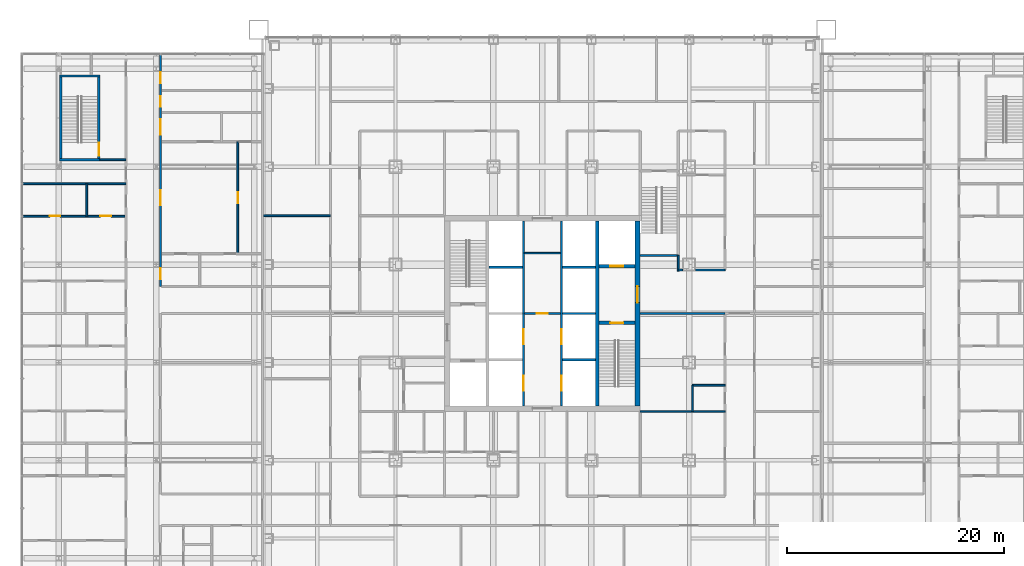
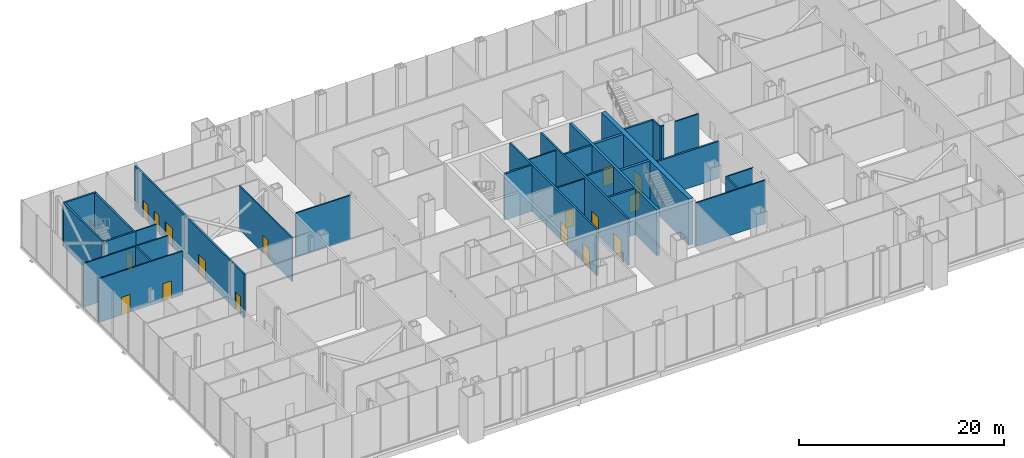
# One storey, part 15 of 25: 31 walls, 17 doors, 17 openings.
"""IFC4 building model written with IfcOpenShell, lengths in metres."""

from ifc_helpers import new_model, si_unit, direction, frame, frame_2d, origin, place, context, subcontext, project, spatial, rectangle, extrude, material, layer, layer_set, type_object, element, fill, save


model = new_model("IFC4")

# Units and contexts
model_context = context("Model", 3, precision=1e-05, world=origin(), true_north=direction((0.0, 1.0)))
body_context = subcontext(model_context, "Body", "Model", "MODEL_VIEW")
ifc_project = project(units=[si_unit("LENGTHUNIT", "METRE"), si_unit("AREAUNIT", "SQUARE_METRE"), si_unit("VOLUMEUNIT", "CUBIC_METRE"), si_unit("PLANEANGLEUNIT", "RADIAN"), si_unit("MASSUNIT", "GRAM", prefix="KILO")], contexts=[model_context])

# Site, building, storey
site_placement = place(None, origin())
site = spatial("IfcSite", under=ifc_project, at=site_placement, CompositionType="ELEMENT")
building_placement = place(site_placement, origin())
building = spatial("IfcBuilding", under=site, at=building_placement, Name="Malebo Sky Hospital", CompositionType="ELEMENT")
storey_placement = place(building_placement, frame((0.0, 0.0, 11.0)))
storey = spatial("IfcBuildingStorey", under=building, at=storey_placement, Name="L02", CompositionType="ELEMENT", Elevation=11.0)

# Wall, openings, doors
ifc_material_1 = material(Name="Concrete C80/95", Category="concrete")
ifc_layer_1 = layer(ifc_material_1, 0.199951171875)
ifc_layer_set_1 = layer_set([ifc_layer_1], Name="CORE INNER WALL 200")
wall_type_1 = type_object("IfcWallType", Name="CORE INNER WALL 200", PredefinedType="SHEAR", material=ifc_layer_set_1)
wall_1_placement = place(storey_placement, frame((58.25, 53.5, 0.0), z_axis=(0.0, 0.0, 1.0), x_axis=(0.0, 1.0, 0.0)))
wall_1 = element("IfcWall", 1, at=wall_1_placement, inside=storey, type_object=wall_type_1, Name="Core wall LW L02", PredefinedType="SHEAR", context=body_context, shape_type="SweptSolid", body=[
    extrude(rectangle(XDim=17.0, YDim=0.199951171875, at=frame_2d((8.5, 0.0))), origin(), (0.0, 0.0, 1.0), 5.5),
])
opening_1_placement = place(wall_1_placement, frame((1.375, 0.0, 0.0)))
opening_1 = element("IfcOpeningElement", 2, at=opening_1_placement, cuts=wall_1, Name="Opening LD1", PredefinedType="OPENING", context=body_context, shape_type="SweptSolid", body=[
    extrude(rectangle(XDim=1.39990234375, YDim=2.199951171875, at=frame_2d((0.699951171875, 1.10009765625))), frame((0.0, 0.10986328125, 0.0), z_axis=(0.0, -1.0, 0.0), x_axis=(1.0, 0.0, 0.0)), (0.0, 0.0, 1.0), 0.219970703125),
])
opening_2_placement = place(wall_1_placement, frame((5.675048828125, 0.0, 0.0)))
opening_2 = element("IfcOpeningElement", 3, at=opening_2_placement, cuts=wall_1, Name="Opening LD1", PredefinedType="OPENING", context=body_context, shape_type="SweptSolid", body=[
    extrude(rectangle(XDim=1.39990234375, YDim=2.199951171875, at=frame_2d((0.699951171875, 1.10009765625))), frame((0.0, 0.10986328125, 0.0), z_axis=(0.0, -1.0, 0.0), x_axis=(1.0, 0.0, 0.0)), (0.0, 0.0, 1.0), 0.219970703125),
])
ifc_material_2 = material(Name="Stainless steel sliding landing door", Category="steel")
door_type_1 = type_object("IfcDoorType", Name="LIFT LANDING DOOR 1400", OperationType="SLIDING_TO_LEFT", PredefinedType="DOOR", material=ifc_material_2)
door_1_placement = place(opening_1_placement, origin())
door_1 = element("IfcDoor", 4, at=door_1_placement, inside=storey, type_object=door_type_1, Name="Lift W1 landing door", OperationType="SLIDING_TO_LEFT", OverallHeight=2.199951171875, OverallWidth=1.39990234375, PredefinedType="DOOR", context=body_context, shape_type="SweptSolid", body=[
    extrude(rectangle(XDim=1.39990234375, YDim=2.199951171875, at=frame_2d((0.699951171875, 1.10009765625))), frame((0.0, 0.02490234375, 0.0), z_axis=(0.0, -1.0, 0.0), x_axis=(1.0, 0.0, 0.0)), (0.0, 0.0, 1.0), 0.050048828125),
])
fill(opening_1, door_1)
door_2_placement = place(opening_2_placement, origin())
door_2 = element("IfcDoor", 5, at=door_2_placement, inside=storey, type_object=door_type_1, Name="Lift W2 landing door", OperationType="SLIDING_TO_LEFT", OverallHeight=2.199951171875, OverallWidth=1.39990234375, PredefinedType="DOOR", context=body_context, shape_type="SweptSolid", body=[
    extrude(rectangle(XDim=1.39990234375, YDim=2.199951171875, at=frame_2d((0.699951171875, 1.10009765625))), frame((0.0, 0.02490234375, 0.0), z_axis=(0.0, -1.0, 0.0), x_axis=(1.0, 0.0, 0.0)), (0.0, 0.0, 1.0), 0.050048828125),
])
fill(opening_2, door_2)

wall_2_placement = place(storey_placement, frame((61.75, 53.5, 0.0), z_axis=(0.0, 0.0, 1.0), x_axis=(0.0, 1.0, 0.0)))
wall_2 = element("IfcWall", 6, at=wall_2_placement, inside=storey, type_object=wall_type_1, Name="Core wall LE L02", PredefinedType="SHEAR", context=body_context, shape_type="SweptSolid", body=[
    extrude(rectangle(XDim=17.0, YDim=0.199951171875, at=frame_2d((8.5, 0.0))), origin(), (0.0, 0.0, 1.0), 5.5),
])
opening_3_placement = place(wall_2_placement, frame((1.375, 0.0, 0.0)))
opening_3 = element("IfcOpeningElement", 7, at=opening_3_placement, cuts=wall_2, Name="Opening LD1", PredefinedType="OPENING", context=body_context, shape_type="SweptSolid", body=[
    extrude(rectangle(XDim=1.39990234375, YDim=2.199951171875, at=frame_2d((0.699951171875, 1.10009765625))), frame((0.0, 0.10986328125, 0.0), z_axis=(0.0, -1.0, 0.0), x_axis=(1.0, 0.0, 0.0)), (0.0, 0.0, 1.0), 0.219970703125),
])
opening_4_placement = place(wall_2_placement, frame((5.675048828125, 0.0, 0.0)))
opening_4 = element("IfcOpeningElement", 8, at=opening_4_placement, cuts=wall_2, Name="Opening LD1", PredefinedType="OPENING", context=body_context, shape_type="SweptSolid", body=[
    extrude(rectangle(XDim=1.39990234375, YDim=2.199951171875, at=frame_2d((0.699951171875, 1.10009765625))), frame((0.0, 0.10986328125, 0.0), z_axis=(0.0, -1.0, 0.0), x_axis=(1.0, 0.0, 0.0)), (0.0, 0.0, 1.0), 0.219970703125),
])
door_3_placement = place(opening_3_placement, origin())
door_3 = element("IfcDoor", 9, at=door_3_placement, inside=storey, type_object=door_type_1, Name="Lift E1 landing door", OperationType="SLIDING_TO_LEFT", OverallHeight=2.199951171875, OverallWidth=1.39990234375, PredefinedType="DOOR", context=body_context, shape_type="SweptSolid", body=[
    extrude(rectangle(XDim=1.39990234375, YDim=2.199951171875, at=frame_2d((0.699951171875, 1.10009765625))), frame((0.0, 0.02490234375, 0.0), z_axis=(0.0, -1.0, 0.0), x_axis=(1.0, 0.0, 0.0)), (0.0, 0.0, 1.0), 0.050048828125),
])
fill(opening_3, door_3)
door_4_placement = place(opening_4_placement, origin())
door_4 = element("IfcDoor", 10, at=door_4_placement, inside=storey, type_object=door_type_1, Name="Lift E2 landing door", OperationType="SLIDING_TO_LEFT", OverallHeight=2.199951171875, OverallWidth=1.39990234375, PredefinedType="DOOR", context=body_context, shape_type="SweptSolid", body=[
    extrude(rectangle(XDim=1.39990234375, YDim=2.199951171875, at=frame_2d((0.699951171875, 1.10009765625))), frame((0.0, 0.02490234375, 0.0), z_axis=(0.0, -1.0, 0.0), x_axis=(1.0, 0.0, 0.0)), (0.0, 0.0, 1.0), 0.050048828125),
])
fill(opening_4, door_4)

# Walls
for number, where, z_axis, x_axis, name in (
    (11, (61.85009765625, 57.75, 0.0), (0.0, 0.0, 1.0), (1.0, 0.0, 0.0), "Core wall SE0 L02"),
    (12, (61.85009765625, 62.0, 0.0), (0.0, 0.0, 1.0), (1.0, 0.0, 0.0), "Core wall SE1 L02"),
    (13, (55.10009765625, 66.25, 0.0), (0.0, 0.0, 1.0), (1.0, 0.0, 0.0), "Core wall SW2 L02"),
    (14, (61.85009765625, 66.25, 0.0), (0.0, 0.0, 1.0), (1.0, 0.0, 0.0), "Core wall SE2 L02"),
):
    element("IfcWall", number, at=place(storey_placement, frame(where, z_axis=z_axis, x_axis=x_axis)), inside=storey, type_object=wall_type_1, Name=name, PredefinedType="SHEAR", context=body_context, shape_type="SweptSolid", body=[
        extrude(rectangle(XDim=3.0498046875, YDim=0.199951171875, at=frame_2d((1.52490234375, 0.0))), origin(), (0.0, 0.0, 1.0), 5.5),
    ])
ifc_layer_2 = layer(ifc_material_1, 0.300048828125)
ifc_layer_set_2 = layer_set([ifc_layer_2], Name="CORE INNER WALL 300")
wall_type_2 = type_object("IfcWallType", Name="CORE INNER WALL 300", PredefinedType="SHEAR", material=ifc_layer_set_2)
wall_3_placement = place(storey_placement, frame((65.050048828125, 53.5, 0.0), z_axis=(0.0, 0.0, 1.0), x_axis=(0.0, 1.0, 0.0)))
element("IfcWall", 15, at=wall_3_placement, inside=storey, type_object=wall_type_2, Name="Core wall XE L02", PredefinedType="SHEAR", context=body_context, shape_type="SweptSolid", body=[
    extrude(rectangle(XDim=17.0, YDim=0.300048828125, at=frame_2d((8.5, 0.0))), origin(), (0.0, 0.0, 1.0), 5.5),
])

# Wall, opening, door
wall_4_placement = place(storey_placement, frame((65.199951171875, 61.14990234375, 0.0), z_axis=(0.0, 0.0, 1.0), x_axis=(1.0, 0.0, 0.0)))
wall_4 = element("IfcWall", 16, at=wall_4_placement, inside=storey, type_object=wall_type_2, Name="Core wall E1 L02", PredefinedType="SHEAR", context=body_context, shape_type="SweptSolid", body=[
    extrude(rectangle(XDim=3.300048828125, YDim=0.300048828125, at=frame_2d((1.64990234375, 0.0))), origin(), (0.0, 0.0, 1.0), 5.5),
])
opening_5_placement = place(wall_4_placement, frame((1.050048828125, 0.0, 0.0)))
opening_5 = element("IfcOpeningElement", 17, at=opening_5_placement, cuts=wall_4, Name="Opening D08", PredefinedType="OPENING", context=body_context, shape_type="SweptSolid", body=[
    extrude(rectangle(XDim=1.199951171875, YDim=2.10009765625, at=frame_2d((0.60009765625, 1.050048828125))), frame((0.0, 0.159912109375, 0.0), z_axis=(0.0, -1.0, 0.0), x_axis=(1.0, 0.0, 0.0)), (0.0, 0.0, 1.0), 0.320068359375),
])
ifc_material_3 = material(Name="Hardwood-faced door leaf in steel frame", Category="steel")
door_type_2 = type_object("IfcDoorType", Name="STAIR DOOR 1200", OperationType="SINGLE_SWING_LEFT", PredefinedType="DOOR", material=ifc_material_3)
door_5_placement = place(opening_5_placement, origin())
door_5 = element("IfcDoor", 18, at=door_5_placement, inside=storey, type_object=door_type_2, Name="Stair S2 door", OperationType="SINGLE_SWING_LEFT", OverallHeight=2.10009765625, OverallWidth=1.199951171875, PredefinedType="DOOR", context=body_context, shape_type="SweptSolid", body=[
    extrude(rectangle(XDim=1.199951171875, YDim=2.10009765625, at=frame_2d((0.60009765625, 1.050048828125))), frame((0.0, 0.02490234375, 0.0), z_axis=(0.0, -1.0, 0.0), x_axis=(1.0, 0.0, 0.0)), (0.0, 0.0, 1.0), 0.050048828125),
])
fill(opening_5, door_5)

wall_5_placement = place(storey_placement, frame((65.199951171875, 66.35009765625, 0.0), z_axis=(0.0, 0.0, 1.0), x_axis=(1.0, 0.0, 0.0)))
wall_5 = element("IfcWall", 19, at=wall_5_placement, inside=storey, type_object=wall_type_2, Name="Core wall E2 L02", PredefinedType="SHEAR", context=body_context, shape_type="SweptSolid", body=[
    extrude(rectangle(XDim=3.300048828125, YDim=0.300048828125, at=frame_2d((1.64990234375, 0.0))), origin(), (0.0, 0.0, 1.0), 5.5),
])
opening_6_placement = place(wall_5_placement, frame((1.050048828125, 0.0, 0.0)))
opening_6 = element("IfcOpeningElement", 20, at=opening_6_placement, cuts=wall_5, Name="Opening LD2", PredefinedType="OPENING", context=body_context, shape_type="SweptSolid", body=[
    extrude(rectangle(XDim=1.199951171875, YDim=2.199951171875, at=frame_2d((0.60009765625, 1.10009765625))), frame((0.0, 0.159912109375, 0.0), z_axis=(0.0, -1.0, 0.0), x_axis=(1.0, 0.0, 0.0)), (0.0, 0.0, 1.0), 0.320068359375),
])
door_type_3 = type_object("IfcDoorType", Name="FIRE-FIGHTING LIFT LANDING DOOR 1200", OperationType="SLIDING_TO_LEFT", PredefinedType="DOOR", material=ifc_material_2)
door_6_placement = place(opening_6_placement, origin())
door_6 = element("IfcDoor", 21, at=door_6_placement, inside=storey, type_object=door_type_3, Name="Lift FL2 landing door", OperationType="SLIDING_TO_LEFT", OverallHeight=2.199951171875, OverallWidth=1.199951171875, PredefinedType="DOOR", context=body_context, shape_type="SweptSolid", body=[
    extrude(rectangle(XDim=1.199951171875, YDim=2.199951171875, at=frame_2d((0.60009765625, 1.10009765625))), frame((0.0, 0.02490234375, 0.0), z_axis=(0.0, -1.0, 0.0), x_axis=(1.0, 0.0, 0.0)), (0.0, 0.0, 1.0), 0.050048828125),
])
fill(opening_6, door_6)

ifc_layer_3 = layer(ifc_material_1, 0.5)
ifc_layer_set_3 = layer_set([ifc_layer_3], Name="CORE WALL 500")
wall_type_3 = type_object("IfcWallType", Name="CORE WALL 500", PredefinedType="SHEAR", material=ifc_layer_set_3)
wall_6_placement = place(storey_placement, frame((68.75, 53.5, 0.0), z_axis=(0.0, 0.0, 1.0), x_axis=(0.0, 1.0, 0.0)))
wall_6 = element("IfcWall", 22, at=wall_6_placement, inside=storey, type_object=wall_type_3, Name="Core wall E L02", PredefinedType="SHEAR", context=body_context, shape_type="SweptSolid", body=[
    extrude(rectangle(XDim=17.0, YDim=0.5, at=frame_2d((8.5, 0.0))), origin(), (0.0, 0.0, 1.0), 5.5),
])
opening_7_placement = place(wall_6_placement, frame((9.5, 0.0, 0.0)))
opening_7 = element("IfcOpeningElement", 23, at=opening_7_placement, cuts=wall_6, Name="Opening D07", PredefinedType="OPENING", context=body_context, shape_type="SweptSolid", body=[
    extrude(rectangle(XDim=1.5, YDim=2.199951171875, at=frame_2d((0.75, 1.10009765625))), frame((0.0, 0.260009765625, 0.0), z_axis=(0.0, -1.0, 0.0), x_axis=(1.0, 0.0, 0.0)), (0.0, 0.0, 1.0), 0.52001953125),
])
door_type_4 = type_object("IfcDoorType", Name="FIRE-FIGHTING LOBBY DOOR PAIR 1500", OperationType="DOUBLE_DOOR_SINGLE_SWING", PredefinedType="DOOR", material=ifc_material_3)
door_7_placement = place(opening_7_placement, origin())
door_7 = element("IfcDoor", 24, at=door_7_placement, inside=storey, type_object=door_type_4, Name="Fire-fighting lobby door east", OperationType="DOUBLE_DOOR_SINGLE_SWING", OverallHeight=2.199951171875, OverallWidth=1.5, PredefinedType="DOOR", context=body_context, shape_type="SweptSolid", body=[
    extrude(rectangle(XDim=1.5, YDim=2.199951171875, at=frame_2d((0.75, 1.10009765625))), frame((0.0, 0.02490234375, 0.0), z_axis=(0.0, -1.0, 0.0), x_axis=(1.0, 0.0, 0.0)), (0.0, 0.0, 1.0), 0.050048828125),
])
fill(opening_7, door_7)

# Wall, openings, doors
ifc_material_4 = material(Name="Gypsum board on steel studs", Category="steel")
ifc_layer_4 = layer(ifc_material_4, 0.199951171875)
ifc_layer_set_4 = layer_set([ifc_layer_4], Name="CORRIDOR WALL 200")
wall_type_4 = type_object("IfcWallType", Name="CORRIDOR WALL 200", PredefinedType="PARTITIONING", material=ifc_layer_set_4)
wall_7_placement = place(storey_placement, frame((24.882080078125, 64.5, 0.0), z_axis=(0.0, 0.0, 1.0), x_axis=(0.0, 1.0, 0.0)))
wall_7 = element("IfcWall", 25, at=wall_7_placement, inside=storey, type_object=wall_type_4, Name="Corridor Wall 200 WWC2C", PredefinedType="PARTITIONING", context=body_context, shape_type="SweptSolid", body=[
    extrude(rectangle(XDim=21.35009765625, YDim=0.199951171875, at=frame_2d((10.675048828125, 0.0))), origin(), (0.0, 0.0, 1.0), 5.199951171875),
])
opening_8_placement = place(wall_7_placement, frame((0.64990234375, 0.0, 0.0)))
opening_8 = element("IfcOpeningElement", 26, at=opening_8_placement, cuts=wall_7, Name="Opening D03", PredefinedType="OPENING", context=body_context, shape_type="SweptSolid", body=[
    extrude(rectangle(XDim=1.0, YDim=2.10009765625, at=frame_2d((0.5, 1.050048828125))), frame((0.0, 0.10986328125, 0.0), z_axis=(0.0, -1.0, 0.0), x_axis=(1.0, 0.0, 0.0)), (0.0, 0.0, 1.0), 0.219970703125),
])
opening_9_placement = place(wall_7_placement, frame((7.449951171875, 0.0, 0.0)))
opening_9 = element("IfcOpeningElement", 27, at=opening_9_placement, cuts=wall_7, Name="Opening D25", PredefinedType="OPENING", context=body_context, shape_type="SweptSolid", body=[
    extrude(rectangle(XDim=1.39990234375, YDim=2.199951171875, at=frame_2d((0.699951171875, 1.10009765625))), frame((0.0, 0.10986328125, 0.0), z_axis=(0.0, -1.0, 0.0), x_axis=(1.0, 0.0, 0.0)), (0.0, 0.0, 1.0), 0.219970703125),
])
opening_10_placement = place(wall_7_placement, frame((13.949951171875, 0.0, 0.0)))
opening_10 = element("IfcOpeningElement", 28, at=opening_10_placement, cuts=wall_7, Name="Opening D25", PredefinedType="OPENING", context=body_context, shape_type="SweptSolid", body=[
    extrude(rectangle(XDim=1.39990234375, YDim=2.199951171875, at=frame_2d((0.699951171875, 1.10009765625))), frame((0.0, 0.10986328125, 0.0), z_axis=(0.0, -1.0, 0.0), x_axis=(1.0, 0.0, 0.0)), (0.0, 0.0, 1.0), 0.219970703125),
])
opening_11_placement = place(wall_7_placement, frame((16.5, 0.0, 0.0)))
opening_11 = element("IfcOpeningElement", 29, at=opening_11_placement, cuts=wall_7, Name="Opening D03", PredefinedType="OPENING", context=body_context, shape_type="SweptSolid", body=[
    extrude(rectangle(XDim=1.0, YDim=2.10009765625, at=frame_2d((0.5, 1.050048828125))), frame((0.0, 0.10986328125, 0.0), z_axis=(0.0, -1.0, 0.0), x_axis=(1.0, 0.0, 0.0)), (0.0, 0.0, 1.0), 0.219970703125),
])
opening_12_placement = place(wall_7_placement, frame((18.675048828125, 0.0, 0.0)))
opening_12 = element("IfcOpeningElement", 30, at=opening_12_placement, cuts=wall_7, Name="Opening D03", PredefinedType="OPENING", context=body_context, shape_type="SweptSolid", body=[
    extrude(rectangle(XDim=1.0, YDim=2.10009765625, at=frame_2d((0.5, 1.050048828125))), frame((0.0, 0.10986328125, 0.0), z_axis=(0.0, -1.0, 0.0), x_axis=(1.0, 0.0, 0.0)), (0.0, 0.0, 1.0), 0.219970703125),
])
door_type_5 = type_object("IfcDoorType", Name="BED DOOR PAIR 1400", OperationType="DOUBLE_DOOR_SINGLE_SWING", PredefinedType="DOOR", material=ifc_material_3)
door_8_placement = place(opening_9_placement, origin())
door_8 = element("IfcDoor", 31, at=door_8_placement, inside=storey, type_object=door_type_5, Name="Hybrid operating theatre door", OperationType="DOUBLE_DOOR_SINGLE_SWING", OverallHeight=2.199951171875, OverallWidth=1.39990234375, PredefinedType="DOOR", context=body_context, shape_type="SweptSolid", body=[
    extrude(rectangle(XDim=1.39990234375, YDim=2.199951171875, at=frame_2d((0.699951171875, 1.10009765625))), frame((0.0, 0.02490234375, 0.0), z_axis=(0.0, -1.0, 0.0), x_axis=(1.0, 0.0, 0.0)), (0.0, 0.0, 1.0), 0.050048828125),
])
fill(opening_9, door_8)
door_9_placement = place(opening_10_placement, origin())
door_9 = element("IfcDoor", 32, at=door_9_placement, inside=storey, type_object=door_type_5, Name="Anaesthetic room door", OperationType="DOUBLE_DOOR_SINGLE_SWING", OverallHeight=2.199951171875, OverallWidth=1.39990234375, PredefinedType="DOOR", context=body_context, shape_type="SweptSolid", body=[
    extrude(rectangle(XDim=1.39990234375, YDim=2.199951171875, at=frame_2d((0.699951171875, 1.10009765625))), frame((0.0, 0.02490234375, 0.0), z_axis=(0.0, -1.0, 0.0), x_axis=(1.0, 0.0, 0.0)), (0.0, 0.0, 1.0), 0.050048828125),
])
fill(opening_10, door_9)
door_type_6 = type_object("IfcDoorType", Name="ROOM DOOR 1000", OperationType="SINGLE_SWING_LEFT", PredefinedType="DOOR", material=ifc_material_3)
door_10_placement = place(opening_8_placement, origin())
door_10 = element("IfcDoor", 33, at=door_10_placement, inside=storey, type_object=door_type_6, Name="Scrub room door", OperationType="SINGLE_SWING_LEFT", OverallHeight=2.10009765625, OverallWidth=1.0, PredefinedType="DOOR", context=body_context, shape_type="SweptSolid", body=[
    extrude(rectangle(XDim=1.0, YDim=2.10009765625, at=frame_2d((0.5, 1.050048828125))), frame((0.0, 0.02490234375, 0.0), z_axis=(0.0, -1.0, 0.0), x_axis=(1.0, 0.0, 0.0)), (0.0, 0.0, 1.0), 0.050048828125),
])
fill(opening_8, door_10)
door_11_placement = place(opening_11_placement, origin())
door_11 = element("IfcDoor", 34, at=door_11_placement, inside=storey, type_object=door_type_6, Name="Hybrid theatre equipment room door", OperationType="SINGLE_SWING_LEFT", OverallHeight=2.10009765625, OverallWidth=1.0, PredefinedType="DOOR", context=body_context, shape_type="SweptSolid", body=[
    extrude(rectangle(XDim=1.0, YDim=2.10009765625, at=frame_2d((0.5, 1.050048828125))), frame((0.0, 0.02490234375, 0.0), z_axis=(0.0, -1.0, 0.0), x_axis=(1.0, 0.0, 0.0)), (0.0, 0.0, 1.0), 0.050048828125),
])
fill(opening_11, door_11)
door_12_placement = place(opening_12_placement, origin())
door_12 = element("IfcDoor", 35, at=door_12_placement, inside=storey, type_object=door_type_6, Name="Disposal hold door", OperationType="SINGLE_SWING_LEFT", OverallHeight=2.10009765625, OverallWidth=1.0, PredefinedType="DOOR", context=body_context, shape_type="SweptSolid", body=[
    extrude(rectangle(XDim=1.0, YDim=2.10009765625, at=frame_2d((0.5, 1.050048828125))), frame((0.0, 0.02490234375, 0.0), z_axis=(0.0, -1.0, 0.0), x_axis=(1.0, 0.0, 0.0)), (0.0, 0.0, 1.0), 0.050048828125),
])
fill(opening_12, door_12)

# Walls
ifc_layer_5 = layer(ifc_material_4, 0.14990234375)
ifc_layer_set_5 = layer_set([ifc_layer_5], Name="PARTITION 150")
wall_type_5 = type_object("IfcWallType", Name="PARTITION 150", PredefinedType="PARTITIONING", material=ifc_layer_set_5)
wall_8_placement = place(storey_placement, frame((40.5, 71.0, 0.0), z_axis=(0.0, 0.0, 1.0), x_axis=(-1.0, 0.0, 0.0)))
element("IfcWall", 36, at=wall_8_placement, inside=storey, type_object=wall_type_5, Name="Partition 150 WP+9.0", PredefinedType="PARTITIONING", context=body_context, shape_type="SweptSolid", body=[
    extrude(rectangle(XDim=6.14990234375, YDim=0.14990234375, at=frame_2d((3.074951171875, 0.0))), origin(), (0.0, 0.0, 1.0), 5.199951171875),
])
wall_9_placement = place(storey_placement, frame((72.5, 66.0, 0.0), z_axis=(0.0, 0.0, 1.0), x_axis=(1.0, 0.0, 0.0)))
element("IfcWall", 37, at=wall_9_placement, inside=storey, type_object=wall_type_5, Name="Partition 150 ESPA", PredefinedType="PARTITIONING", context=body_context, shape_type="SweptSolid", body=[
    extrude(rectangle(XDim=0.39990234375, YDim=0.14990234375, at=frame_2d((0.199951171875, 0.0))), origin(), (0.0, 0.0, 1.0), 5.199951171875),
])
wall_10_placement = place(storey_placement, frame((74.10009765625, 66.0, 0.0), z_axis=(0.0, 0.0, 1.0), x_axis=(1.0, 0.0, 0.0)))
element("IfcWall", 38, at=wall_10_placement, inside=storey, type_object=wall_type_5, Name="Partition 150 ESPA", PredefinedType="PARTITIONING", context=body_context, shape_type="SweptSolid", body=[
    extrude(rectangle(XDim=2.699951171875, YDim=0.14990234375, at=frame_2d((1.35009765625, 0.0))), origin(), (0.0, 0.0, 1.0), 5.199951171875),
])
wall_11_placement = place(storey_placement, frame((69.0, 53.0, 0.0), z_axis=(0.0, 0.0, 1.0), x_axis=(1.0, 0.0, 0.0)))
element("IfcWall", 39, at=wall_11_placement, inside=storey, type_object=wall_type_5, Name="Partition 150 ESP9", PredefinedType="PARTITIONING", context=body_context, shape_type="SweptSolid", body=[
    extrude(rectangle(XDim=7.800048828125, YDim=0.14990234375, at=frame_2d((3.89990234375, 0.0))), origin(), (0.0, 0.0, 1.0), 5.199951171875),
])
wall_12_placement = place(storey_placement, frame((73.800048828125, 55.39990234375, 0.0), z_axis=(0.0, 0.0, 1.0), x_axis=(1.0, 0.0, 0.0)))
element("IfcWall", 40, at=wall_12_placement, inside=storey, type_object=wall_type_5, Name="Partition 150 ES1K1", PredefinedType="PARTITIONING", context=body_context, shape_type="SweptSolid", body=[
    extrude(rectangle(XDim=3.0, YDim=0.14990234375, at=frame_2d((1.5, 0.0))), origin(), (0.0, 0.0, 1.0), 5.199951171875),
])
wall_13_placement = place(storey_placement, frame((73.800048828125, 55.39990234375, 0.0), z_axis=(0.0, 0.0, 1.0), x_axis=(0.0, -1.0, 0.0)))
element("IfcWall", 41, at=wall_13_placement, inside=storey, type_object=wall_type_5, Name="Partition 150 ES1K2", PredefinedType="PARTITIONING", context=body_context, shape_type="SweptSolid", body=[
    extrude(rectangle(XDim=2.39990234375, YDim=0.14990234375, at=frame_2d((1.199951171875, 0.0))), origin(), (0.0, 0.0, 1.0), 5.199951171875),
])

# Wall, opening, door
wall_14_placement = place(storey_placement, frame((58.35009765625, 62.0, 0.0), z_axis=(0.0, 0.0, 1.0), x_axis=(1.0, 0.0, 0.0)))
wall_14 = element("IfcWall", 42, at=wall_14_placement, inside=storey, type_object=wall_type_5, Name="Partition 150 LBN", PredefinedType="PARTITIONING", context=body_context, shape_type="SweptSolid", body=[
    extrude(rectangle(XDim=3.2998046875, YDim=0.14990234375, at=frame_2d((1.64990234375, 0.0))), origin(), (0.0, 0.0, 1.0), 5.199951171875),
])
opening_13_placement = place(wall_14_placement, frame((1.14990234375, 0.0, 0.0)))
opening_13 = element("IfcOpeningElement", 43, at=opening_13_placement, cuts=wall_14, Name="Opening D03", PredefinedType="OPENING", context=body_context, shape_type="SweptSolid", body=[
    extrude(rectangle(XDim=1.0, YDim=2.10009765625, at=frame_2d((0.5, 1.050048828125))), frame((0.0, 0.0849609375, 0.0), z_axis=(0.0, -1.0, 0.0), x_axis=(1.0, 0.0, 0.0)), (0.0, 0.0, 1.0), 0.169921875),
])
door_13_placement = place(opening_13_placement, origin())
door_13 = element("IfcDoor", 44, at=door_13_placement, inside=storey, type_object=door_type_6, Name="Housekeeping store door", OperationType="SINGLE_SWING_LEFT", OverallHeight=2.10009765625, OverallWidth=1.0, PredefinedType="DOOR", context=body_context, shape_type="SweptSolid", body=[
    extrude(rectangle(XDim=1.0, YDim=2.10009765625, at=frame_2d((0.5, 1.050048828125))), frame((0.0, 0.02490234375, 0.0), z_axis=(0.0, -1.0, 0.0), x_axis=(1.0, 0.0, 0.0)), (0.0, 0.0, 1.0), 0.050048828125),
])
fill(opening_13, door_13)

# Walls
wall_15_placement = place(storey_placement, frame((58.35009765625, 67.55126953125, 0.0), z_axis=(0.0, 0.0, 1.0), x_axis=(1.0, 0.0, 0.0)))
element("IfcWall", 45, at=wall_15_placement, inside=storey, type_object=wall_type_5, Name="Partition 150 LBN1", PredefinedType="PARTITIONING", context=body_context, shape_type="SweptSolid", body=[
    extrude(rectangle(XDim=3.2998046875, YDim=0.14990234375, at=frame_2d((1.64990234375, 0.0))), origin(), (0.0, 0.0, 1.0), 5.199951171875),
])
wall_16_placement = place(storey_placement, frame((19.300048828125, 76.14990234375, 0.0), z_axis=(0.0, 0.0, 1.0), x_axis=(1.0, 0.0, 0.0)))
element("IfcWall", 46, at=wall_16_placement, inside=storey, type_object=wall_type_5, Name="Partition 150 WLS", PredefinedType="PARTITIONING", context=body_context, shape_type="SweptSolid", body=[
    extrude(rectangle(XDim=2.39306640625, YDim=0.14990234375, at=frame_2d((1.196533203125, 0.0))), origin(), (0.0, 0.0, 1.0), 5.199951171875),
])
wall_17_placement = place(storey_placement, frame((12.14990234375, 73.9375, 0.0), z_axis=(0.0, 0.0, 1.0), x_axis=(1.0, 0.0, 0.0)))
element("IfcWall", 47, at=wall_17_placement, inside=storey, type_object=wall_type_5, Name="Partition 150 WSP", PredefinedType="PARTITIONING", context=body_context, shape_type="SweptSolid", body=[
    extrude(rectangle(XDim=9.543212890625, YDim=0.14990234375, at=frame_2d((4.771484375, 0.0))), origin(), (0.0, 0.0, 1.0), 5.199951171875),
])

# Wall, openings, doors
wall_18_placement = place(storey_placement, frame((12.14990234375, 70.953125, 0.0), z_axis=(0.0, 0.0, 1.0), x_axis=(1.0, 0.0, 0.0)))
wall_18 = element("IfcWall", 48, at=wall_18_placement, inside=storey, type_object=wall_type_5, Name="Partition 150 WOH07", PredefinedType="PARTITIONING", context=body_context, shape_type="SweptSolid", body=[
    extrude(rectangle(XDim=9.443115234375, YDim=0.14990234375, at=frame_2d((4.7216796875, 0.0))), origin(), (0.0, 0.0, 1.0), 5.199951171875),
])
opening_14_placement = place(wall_18_placement, frame((7.193115234375, 0.0, 0.0)))
opening_14 = element("IfcOpeningElement", 49, at=opening_14_placement, cuts=wall_18, Name="Opening D03", PredefinedType="OPENING", context=body_context, shape_type="SweptSolid", body=[
    extrude(rectangle(XDim=1.0, YDim=2.10009765625, at=frame_2d((0.5, 1.050048828125))), frame((0.0, 0.0849609375, 0.0), z_axis=(0.0, -1.0, 0.0), x_axis=(1.0, 0.0, 0.0)), (0.0, 0.0, 1.0), 0.169921875),
])
opening_15_placement = place(wall_18_placement, frame((2.521484375, 0.0, 0.0)))
opening_15 = element("IfcOpeningElement", 50, at=opening_15_placement, cuts=wall_18, Name="Opening D03", PredefinedType="OPENING", context=body_context, shape_type="SweptSolid", body=[
    extrude(rectangle(XDim=1.0, YDim=2.10009765625, at=frame_2d((0.5, 1.050048828125))), frame((0.0, 0.0849609375, 0.0), z_axis=(0.0, -1.0, 0.0), x_axis=(1.0, 0.0, 0.0)), (0.0, 0.0, 1.0), 0.169921875),
])
door_14_placement = place(opening_14_placement, origin())
door_14 = element("IfcDoor", 51, at=door_14_placement, inside=storey, type_object=door_type_6, Name="Scrub room inner door", OperationType="SINGLE_SWING_LEFT", OverallHeight=2.10009765625, OverallWidth=1.0, PredefinedType="DOOR", context=body_context, shape_type="SweptSolid", body=[
    extrude(rectangle(XDim=1.0, YDim=2.10009765625, at=frame_2d((0.5, 1.050048828125))), frame((0.0, 0.02490234375, 0.0), z_axis=(0.0, -1.0, 0.0), x_axis=(1.0, 0.0, 0.0)), (0.0, 0.0, 1.0), 0.050048828125),
])
fill(opening_14, door_14)
door_15_placement = place(opening_15_placement, origin())
door_15 = element("IfcDoor", 52, at=door_15_placement, inside=storey, type_object=door_type_6, Name="Preparation room inner door", OperationType="SINGLE_SWING_RIGHT", OverallHeight=2.10009765625, OverallWidth=1.0, PredefinedType="DOOR", context=body_context, shape_type="SweptSolid", body=[
    extrude(rectangle(XDim=1.0, YDim=2.10009765625, at=frame_2d((0.5, 1.050048828125))), frame((0.0, 0.02490234375, 0.0), z_axis=(0.0, -1.0, 0.0), x_axis=(1.0, 0.0, 0.0)), (0.0, 0.0, 1.0), 0.050048828125),
])
fill(opening_15, door_15)

# Wall
wall_19_placement = place(storey_placement, frame((18.093017578125, 70.953125, 0.0), z_axis=(0.0, 0.0, 1.0), x_axis=(0.0, 1.0, 0.0)))
element("IfcWall", 53, at=wall_19_placement, inside=storey, type_object=wall_type_5, Name="Partition 150 WOV13", PredefinedType="PARTITIONING", context=body_context, shape_type="SweptSolid", body=[
    extrude(rectangle(XDim=2.984375, YDim=0.14990234375, at=frame_2d((1.4921875, 0.0))), origin(), (0.0, 0.0, 1.0), 5.199951171875),
])

# Wall, opening, door
wall_20_placement = place(storey_placement, frame((31.98193359375, 67.5, 0.0), z_axis=(0.0, 0.0, 1.0), x_axis=(0.0, 1.0, 0.0)))
wall_20 = element("IfcWall", 54, at=wall_20_placement, inside=storey, type_object=wall_type_5, Name="Partition 150 WIV15", PredefinedType="PARTITIONING", context=body_context, shape_type="SweptSolid", body=[
    extrude(rectangle(XDim=10.300048828125, YDim=0.14990234375, at=frame_2d((5.14990234375, 0.0))), origin(), (0.0, 0.0, 1.0), 5.199951171875),
])
opening_16_placement = place(wall_20_placement, frame((4.64990234375, 0.0, 0.0)))
opening_16 = element("IfcOpeningElement", 55, at=opening_16_placement, cuts=wall_20, Name="Opening D03", PredefinedType="OPENING", context=body_context, shape_type="SweptSolid", body=[
    extrude(rectangle(XDim=1.0, YDim=2.10009765625, at=frame_2d((0.5, 1.050048828125))), frame((0.0, 0.0849609375, 0.0), z_axis=(0.0, -1.0, 0.0), x_axis=(1.0, 0.0, 0.0)), (0.0, 0.0, 1.0), 0.169921875),
])
door_16_placement = place(opening_16_placement, origin())
door_16 = element("IfcDoor", 56, at=door_16_placement, inside=storey, type_object=door_type_6, Name="Hybrid theatre control room inner door", OperationType="SINGLE_SWING_LEFT", OverallHeight=2.10009765625, OverallWidth=1.0, PredefinedType="DOOR", context=body_context, shape_type="SweptSolid", body=[
    extrude(rectangle(XDim=1.0, YDim=2.10009765625, at=frame_2d((0.5, 1.050048828125))), frame((0.0, 0.02490234375, 0.0), z_axis=(0.0, -1.0, 0.0), x_axis=(1.0, 0.0, 0.0)), (0.0, 0.0, 1.0), 0.050048828125),
])
fill(opening_16, door_16)

# Walls
wall_21_placement = place(storey_placement, frame((72.5, 65.89990234375, 0.0), z_axis=(0.0, 0.0, 1.0), x_axis=(0.0, 1.0, 0.0)))
element("IfcWall", 57, at=wall_21_placement, inside=storey, type_object=wall_type_5, Name="Partition 150 ST3C", PredefinedType="PARTITIONING", context=body_context, shape_type="SweptSolid", body=[
    extrude(rectangle(XDim=1.4501953125, YDim=0.14990234375, at=frame_2d((0.72509765625, 0.0))), origin(), (0.0, 0.0, 1.0), 5.199951171875),
])
ifc_material_5 = material(Name="Concrete blockwork", Category="masonry")
ifc_layer_6 = layer(ifc_material_5, 0.199951171875)
ifc_layer_set_6 = layer_set([ifc_layer_6], Name="SMOKE BARRIER WALL 200")
wall_type_6 = type_object("IfcWallType", Name="SMOKE BARRIER WALL 200", PredefinedType="SOLIDWALL", material=ifc_layer_set_6)
wall_22_placement = place(storey_placement, frame((69.0, 62.0, 0.0), z_axis=(0.0, 0.0, 1.0), x_axis=(1.0, 0.0, 0.0)))
element("IfcWall", 58, at=wall_22_placement, inside=storey, type_object=wall_type_6, Name="Smoke Barrier Wall 200 ESPB", PredefinedType="SOLIDWALL", context=body_context, shape_type="SweptSolid", body=[
    extrude(rectangle(XDim=7.800048828125, YDim=0.199951171875, at=frame_2d((3.89990234375, 0.0))), origin(), (0.0, 0.0, 1.0), 4.39990234375),
])
ifc_material_6 = material(Name="Concrete C40/50", Category="concrete")
ifc_layer_7 = layer(ifc_material_6, 0.199951171875)
ifc_layer_set_7 = layer_set([ifc_layer_7], Name="STAIR ENCLOSURE WALL 200")
wall_type_7 = type_object("IfcWallType", Name="STAIR ENCLOSURE WALL 200", PredefinedType="SOLIDWALL", material=ifc_layer_set_7)
for number, where, z_axis, x_axis, name in (
    (59, (15.60009765625, 76.14990234375, 0.0), (0.0, 0.0, 1.0), (1.0, 0.0, 0.0), "Stair Enclosure Wall 200 WSS"),
    (60, (15.60009765625, 83.85009765625, 0.0), (0.0, 0.0, 1.0), (1.0, 0.0, 0.0), "Stair Enclosure Wall 200 WSN"),
):
    element("IfcWall", number, at=place(storey_placement, frame(where, z_axis=z_axis, x_axis=x_axis)), inside=storey, type_object=wall_type_7, Name=name, PredefinedType="SOLIDWALL", context=body_context, shape_type="SweptSolid", body=[
        extrude(rectangle(XDim=3.699951171875, YDim=0.199951171875, at=frame_2d((1.85009765625, 0.0))), origin(), (0.0, 0.0, 1.0), 5.199951171875),
    ])
wall_23_placement = place(storey_placement, frame((15.699951171875, 76.25, 0.0), z_axis=(0.0, 0.0, 1.0), x_axis=(0.0, 1.0, 0.0)))
element("IfcWall", 61, at=wall_23_placement, inside=storey, type_object=wall_type_7, Name="Stair Enclosure Wall 200 WSW", PredefinedType="SOLIDWALL", context=body_context, shape_type="SweptSolid", body=[
    extrude(rectangle(XDim=7.5, YDim=0.199951171875, at=frame_2d((3.75, 0.0))), origin(), (0.0, 0.0, 1.0), 5.199951171875),
])

# Wall, opening, door
wall_24_placement = place(storey_placement, frame((19.199951171875, 76.25, 0.0), z_axis=(0.0, 0.0, 1.0), x_axis=(0.0, 1.0, 0.0)))
wall_24 = element("IfcWall", 62, at=wall_24_placement, inside=storey, type_object=wall_type_7, Name="Stair Enclosure Wall 200 WSE", PredefinedType="SOLIDWALL", context=body_context, shape_type="SweptSolid", body=[
    extrude(rectangle(XDim=7.5, YDim=0.199951171875, at=frame_2d((3.75, 0.0))), origin(), (0.0, 0.0, 1.0), 5.199951171875),
])
opening_17_placement = place(wall_24_placement, frame((0.25, 0.0, 0.0)))
opening_17 = element("IfcOpeningElement", 63, at=opening_17_placement, cuts=wall_24, Name="Opening D08", PredefinedType="OPENING", context=body_context, shape_type="SweptSolid", body=[
    extrude(rectangle(XDim=1.199951171875, YDim=2.10009765625, at=frame_2d((0.60009765625, 1.050048828125))), frame((0.0, 0.10986328125, 0.0), z_axis=(0.0, -1.0, 0.0), x_axis=(1.0, 0.0, 0.0)), (0.0, 0.0, 1.0), 0.219970703125),
])
door_17_placement = place(opening_17_placement, origin())
door_17 = element("IfcDoor", 64, at=door_17_placement, inside=storey, type_object=door_type_2, Name="Stair WS door", OperationType="SINGLE_SWING_LEFT", OverallHeight=2.10009765625, OverallWidth=1.199951171875, PredefinedType="DOOR", context=body_context, shape_type="SweptSolid", body=[
    extrude(rectangle(XDim=1.199951171875, YDim=2.10009765625, at=frame_2d((0.60009765625, 1.050048828125))), frame((0.0, 0.02490234375, 0.0), z_axis=(0.0, -1.0, 0.0), x_axis=(1.0, 0.0, 0.0)), (0.0, 0.0, 1.0), 0.050048828125),
])
fill(opening_17, door_17)

# Wall
wall_25_placement = place(storey_placement, frame((69.0, 67.35009765625, 0.0), z_axis=(0.0, 0.0, 1.0), x_axis=(1.0, 0.0, 0.0)))
element("IfcWall", 65, at=wall_25_placement, inside=storey, type_object=wall_type_7, Name="Stair Enclosure Wall 200 ST3S", PredefinedType="SOLIDWALL", context=body_context, shape_type="SweptSolid", body=[
    extrude(rectangle(XDim=3.5, YDim=0.199951171875, at=frame_2d((1.75, 0.0))), origin(), (0.0, 0.0, 1.0), 5.199951171875),
])

save(model, "model.ifc")
